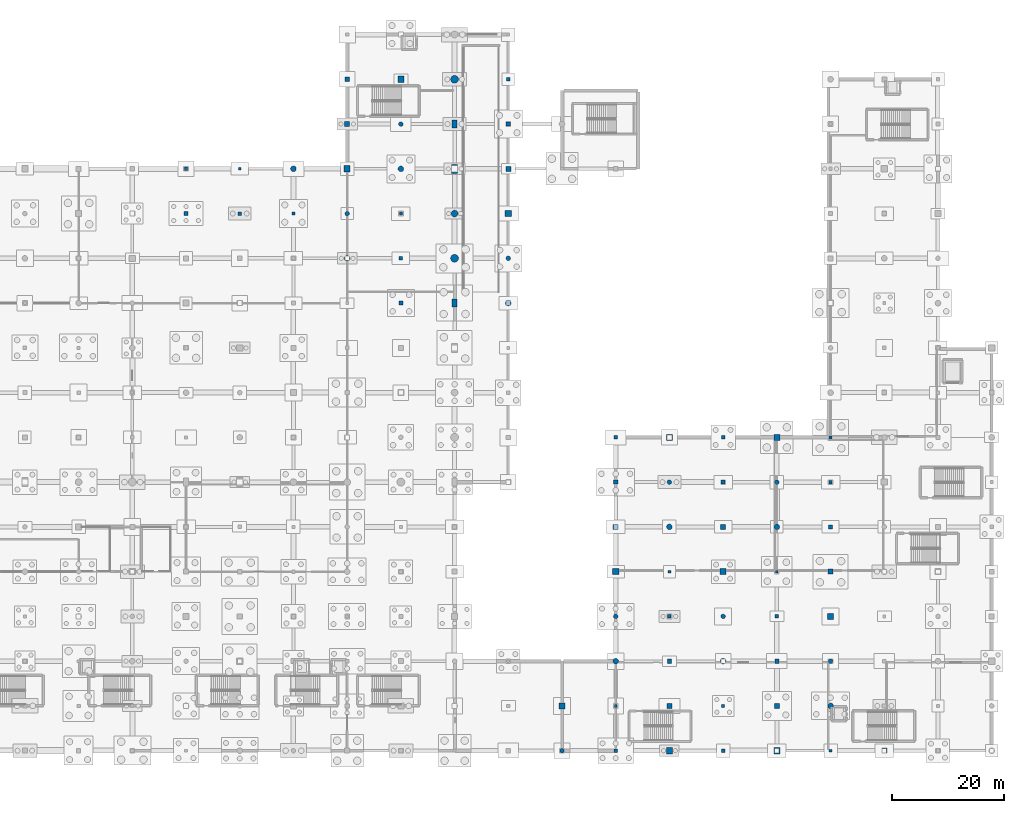
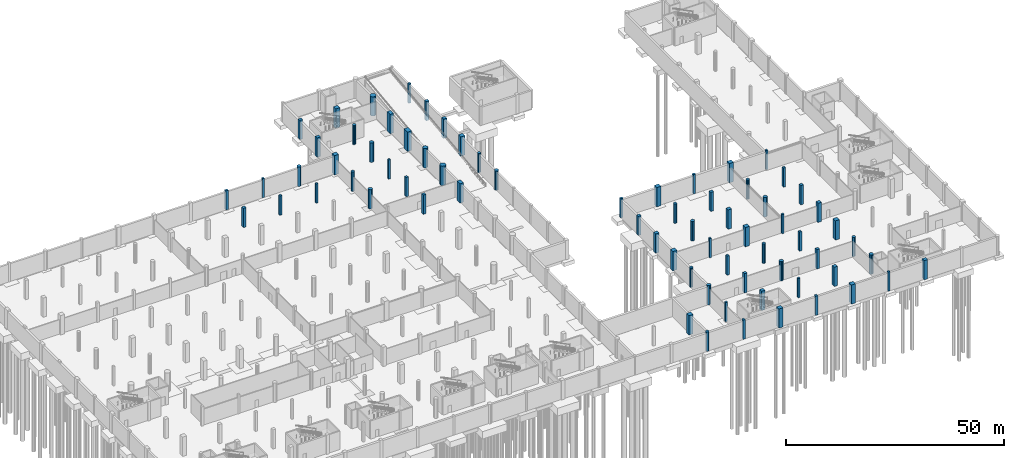
# One storey, part 14 of 44: 72 columns.
"""IFC4 building model written with IfcOpenShell, lengths in metres."""

from ifc_helpers import new_model, si_unit, direction, frame, origin, origin_2d, place, context, subcontext, project, spatial, rectangle, circle, extrude, material, material_profile, profile_set, type_object, element, save


model = new_model("IFC4")

# Units and contexts
model_context = context("Model", 3, precision=1e-05, world=origin(), true_north=direction((0.0, 1.0)))
body_context = subcontext(model_context, "Body", "Model", "MODEL_VIEW")
ifc_project = project(units=[si_unit("LENGTHUNIT", "METRE"), si_unit("AREAUNIT", "SQUARE_METRE"), si_unit("VOLUMEUNIT", "CUBIC_METRE"), si_unit("PLANEANGLEUNIT", "RADIAN"), si_unit("MASSUNIT", "GRAM", prefix="KILO")], contexts=[model_context])

# Site, building, storey
site_placement = place(None, origin())
site = spatial("IfcSite", under=ifc_project, at=site_placement, CompositionType="ELEMENT")
building_placement = place(site_placement, origin())
building = spatial("IfcBuilding", under=site, at=building_placement, Name="Danafjord Basin Convention Centre", CompositionType="ELEMENT")
storey_placement = place(building_placement, frame((0.0, 0.0, -5.39990234375)))
storey = spatial("IfcBuildingStorey", under=building, at=storey_placement, Name="B1", CompositionType="ELEMENT", Elevation=-5.39990234375)

# Columns
ifc_material_1 = material(Name="Concrete C45/55", Category="concrete")
ifc_material_profile_1 = material_profile(ifc_material_1, rectangle(XDim=1.10009765625, YDim=1.10009765625, at=origin_2d()), Name="RC 1100x1100")
ifc_profile_set_1 = profile_set([ifc_material_profile_1], Name="Concrete C45/55")
column_type_1 = type_object("IfcColumnType", Name="COL-C-RC1100", PredefinedType="COLUMN", material=ifc_profile_set_1)
for number, where, z_axis, x_axis, name in (
    (1, (96.0, 112.0, 0.0), (0.0, 0.0, 1.0), (1.0, 0.0, 0.0), "B1 column C-RC1100 at (96.0, 112.0)"),
    (2, (105.60009765625, 128.0, 0.0), (0.0, 0.0, 1.0), (1.0, 0.0, 0.0), "B1 column C-RC1100 at (105.6, 128.0)"),
    (3, (124.800048828125, 104.0, 0.0), (0.0, 0.0, 1.0), (1.0, 0.0, 0.0), "B1 column C-RC1100 at (124.8, 104.0)"),
    (4, (134.39990234375, 16.0, 0.0), (0.0, 0.0, 1.0), (1.0, 0.0, 0.0), "B1 column C-RC1100 at (134.4, 16.0)"),
    (5, (144.0, 40.0, 0.0), (0.0, 0.0, 1.0), (1.0, 0.0, 0.0), "B1 column C-RC1100 at (144.0, 40.0)"),
    (6, (153.60009765625, 8.0, 0.0), (0.0, 0.0, 1.0), (1.0, 0.0, 0.0), "B1 column C-RC1100 at (153.6, 8.0)"),
    (7, (153.60009765625, 64.0, 0.0), (0.0, 0.0, 1.0), (1.0, 0.0, 0.0), "B1 column C-RC1100 at (153.6, 64.0)"),
    (8, (163.199951171875, 40.0, 0.0), (0.0, 0.0, 1.0), (1.0, 0.0, 0.0), "B1 column C-RC1100 at (163.2, 40.0)"),
    (9, (172.800048828125, 8.0, 0.0), (0.0, 0.0, 1.0), (1.0, 0.0, 0.0), "B1 column C-RC1100 at (172.8, 8.0)"),
    (10, (172.800048828125, 64.0, 0.0), (0.0, 0.0, 1.0), (1.0, 0.0, 0.0), "B1 column C-RC1100 at (172.8, 64.0)"),
    (11, (182.39990234375, 32.0, 0.0), (0.0, 0.0, 1.0), (1.0, 0.0, 0.0), "B1 column C-RC1100 at (182.4, 32.0)"),
):
    element("IfcColumn", number, at=place(storey_placement, frame(where, z_axis=z_axis, x_axis=x_axis)), inside=storey, type_object=column_type_1, Name=name, PredefinedType="COLUMN", context=body_context, shape_type="SweptSolid", body=[
        extrude(rectangle(XDim=1.10009765625, YDim=1.10009765625, at=origin_2d()), origin(), (0.0, 0.0, 1.0), 5.39990234375),
    ])
ifc_material_2 = material(Name="Concrete C50/60", Category="concrete")
ifc_material_profile_2 = material_profile(ifc_material_2, rectangle(XDim=0.89990234375, YDim=1.39990234375, at=origin_2d()), Name="RC 1400x900")
ifc_profile_set_2 = profile_set([ifc_material_profile_2], Name="Concrete C50/60")
column_type_2 = type_object("IfcColumnType", Name="COL-C-RC1400", PredefinedType="COLUMN", material=ifc_profile_set_2)
for number, where, z_axis, x_axis, name in (
    (12, (115.199951171875, 88.0, 0.0), (0.0, 0.0, 1.0), (1.0, 0.0, 0.0), "B1 column C-RC1400 at (115.2, 88.0)"),
    (13, (115.199951171875, 120.0, 0.0), (0.0, 0.0, 1.0), (1.0, 0.0, 0.0), "B1 column C-RC1400 at (115.2, 120.0)"),
):
    element("IfcColumn", number, at=place(storey_placement, frame(where, z_axis=z_axis, x_axis=x_axis)), inside=storey, type_object=column_type_2, Name=name, PredefinedType="COLUMN", context=body_context, shape_type="SweptSolid", body=[
        extrude(rectangle(XDim=0.89990234375, YDim=1.39990234375, at=origin_2d()), origin(), (0.0, 0.0, 1.0), 5.39990234375),
    ])
ifc_material_profile_3 = material_profile(ifc_material_2, rectangle(XDim=1.10009765625, YDim=1.60009765625, at=origin_2d()), Name="RC 1600x1100")
ifc_profile_set_3 = profile_set([ifc_material_profile_3], Name="Concrete C50/60")
column_type_3 = type_object("IfcColumnType", Name="COL-C-RC1600", PredefinedType="COLUMN", material=ifc_profile_set_3)
column_1_placement = place(storey_placement, frame((115.199951171875, 112.0, 0.0), z_axis=(0.0, 0.0, 1.0), x_axis=(1.0, 0.0, 0.0)))
element("IfcColumn", 14, at=column_1_placement, inside=storey, type_object=column_type_3, Name="B1 column C-RC1600 at (115.2, 112.0)", PredefinedType="COLUMN", context=body_context, shape_type="SweptSolid", body=[
    extrude(rectangle(XDim=1.10009765625, YDim=1.60009765625, at=origin_2d()), origin(), (0.0, 0.0, 1.0), 5.39990234375),
])
ifc_material_3 = material(Name="Concrete C40/50", Category="concrete")
ifc_material_profile_4 = material_profile(ifc_material_3, rectangle(XDim=0.5, YDim=0.5, at=origin_2d()), Name="RC 500x500")
ifc_profile_set_4 = profile_set([ifc_material_profile_4], Name="Concrete C40/50")
column_type_4 = type_object("IfcColumnType", Name="COL-C-RC500", PredefinedType="COLUMN", material=ifc_profile_set_4)
for number, where, z_axis, x_axis, name in (
    (15, (76.800048828125, 112.0, 0.0), (0.0, 0.0, 1.0), (1.0, 0.0, 0.0), "B1 column C-RC500 at (76.8, 112.0)"),
    (16, (86.39990234375, 104.0, 0.0), (0.0, 0.0, 1.0), (1.0, 0.0, 0.0), "B1 column C-RC500 at (86.4, 104.0)"),
    (17, (105.60009765625, 104.0, 0.0), (0.0, 0.0, 1.0), (1.0, 0.0, 0.0), "B1 column C-RC500 at (105.6, 104.0)"),
    (18, (144.0, 16.0, 0.0), (0.0, 0.0, 1.0), (1.0, 0.0, 0.0), "B1 column C-RC500 at (144.0, 16.0)"),
    (19, (153.60009765625, 40.0, 0.0), (0.0, 0.0, 1.0), (1.0, 0.0, 0.0), "B1 column C-RC500 at (153.6, 40.0)"),
    (20, (163.199951171875, 16.0, 0.0), (0.0, 0.0, 1.0), (1.0, 0.0, 0.0), "B1 column C-RC500 at (163.2, 16.0)"),
    (21, (172.800048828125, 40.0, 0.0), (0.0, 0.0, 1.0), (1.0, 0.0, 0.0), "B1 column C-RC500 at (172.8, 40.0)"),
    (22, (182.39990234375, 8.0, 0.0), (0.0, 0.0, 1.0), (1.0, 0.0, 0.0), "B1 column C-RC500 at (182.4, 8.0)"),
    (23, (182.39990234375, 64.0, 0.0), (0.0, 0.0, 1.0), (1.0, 0.0, 0.0), "B1 column C-RC500 at (182.4, 64.0)"),
):
    element("IfcColumn", number, at=place(storey_placement, frame(where, z_axis=z_axis, x_axis=x_axis)), inside=storey, type_object=column_type_4, Name=name, PredefinedType="COLUMN", context=body_context, shape_type="SweptSolid", body=[
        extrude(rectangle(XDim=0.5, YDim=0.5, at=origin_2d()), origin(), (0.0, 0.0, 1.0), 5.39990234375),
    ])
ifc_material_profile_5 = material_profile(ifc_material_3, rectangle(XDim=0.60009765625, YDim=0.60009765625, at=origin_2d()), Name="RC 600x600")
ifc_profile_set_5 = profile_set([ifc_material_profile_5], Name="Concrete C40/50")
column_type_5 = type_object("IfcColumnType", Name="COL-C-RC600", PredefinedType="COLUMN", material=ifc_profile_set_5)
for number, where, z_axis, x_axis, name in (
    (24, (67.199951171875, 112.0, 0.0), (0.0, 0.0, 1.0), (1.0, 0.0, 0.0), "B1 column C-RC600 at (67.2, 112.0)"),
    (25, (76.800048828125, 104.0, 0.0), (0.0, 0.0, 1.0), (1.0, 0.0, 0.0), "B1 column C-RC600 at (76.8, 104.0)"),
    (26, (105.60009765625, 96.0, 0.0), (0.0, 0.0, 1.0), (1.0, 0.0, 0.0), "B1 column C-RC600 at (105.6, 96.0)"),
    (27, (124.800048828125, 128.0, 0.0), (0.0, 0.0, 1.0), (1.0, 0.0, 0.0), "B1 column C-RC600 at (124.8, 128.0)"),
    (28, (144.0, 8.0, 0.0), (0.0, 0.0, 1.0), (1.0, 0.0, 0.0), "B1 column C-RC600 at (144.0, 8.0)"),
    (29, (144.0, 64.0, 0.0), (0.0, 0.0, 1.0), (1.0, 0.0, 0.0), "B1 column C-RC600 at (144.0, 64.0)"),
    (30, (153.60009765625, 32.0, 0.0), (0.0, 0.0, 1.0), (1.0, 0.0, 0.0), "B1 column C-RC600 at (153.6, 32.0)"),
    (31, (163.199951171875, 8.0, 0.0), (0.0, 0.0, 1.0), (1.0, 0.0, 0.0), "B1 column C-RC600 at (163.2, 8.0)"),
    (32, (163.199951171875, 64.0, 0.0), (0.0, 0.0, 1.0), (1.0, 0.0, 0.0), "B1 column C-RC600 at (163.2, 64.0)"),
    (33, (172.800048828125, 32.0, 0.0), (0.0, 0.0, 1.0), (1.0, 0.0, 0.0), "B1 column C-RC600 at (172.8, 32.0)"),
    (34, (182.39990234375, 56.0, 0.0), (0.0, 0.0, 1.0), (1.0, 0.0, 0.0), "B1 column C-RC600 at (182.4, 56.0)"),
):
    element("IfcColumn", number, at=place(storey_placement, frame(where, z_axis=z_axis, x_axis=x_axis)), inside=storey, type_object=column_type_5, Name=name, PredefinedType="COLUMN", context=body_context, shape_type="SweptSolid", body=[
        extrude(rectangle(XDim=0.60009765625, YDim=0.60009765625, at=origin_2d()), origin(), (0.0, 0.0, 1.0), 5.39990234375),
    ])
ifc_material_profile_6 = material_profile(ifc_material_3, rectangle(XDim=0.75, YDim=0.75, at=origin_2d()), Name="RC 750x750")
ifc_profile_set_6 = profile_set([ifc_material_profile_6], Name="Concrete C40/50")
column_type_6 = type_object("IfcColumnType", Name="COL-C-RC750", PredefinedType="COLUMN", material=ifc_profile_set_6)
for number, where, z_axis, x_axis, name in (
    (35, (67.199951171875, 104.0, 0.0), (0.0, 0.0, 1.0), (1.0, 0.0, 0.0), "B1 column C-RC750 at (67.2, 104.0)"),
    (36, (96.0, 128.0, 0.0), (0.0, 0.0, 1.0), (1.0, 0.0, 0.0), "B1 column C-RC750 at (96.0, 128.0)"),
    (37, (105.60009765625, 88.0, 0.0), (0.0, 0.0, 1.0), (1.0, 0.0, 0.0), "B1 column C-RC750 at (105.6, 88.0)"),
    (38, (124.800048828125, 120.0, 0.0), (0.0, 0.0, 1.0), (1.0, 0.0, 0.0), "B1 column C-RC750 at (124.8, 120.0)"),
    (39, (144.0, 56.0, 0.0), (0.0, 0.0, 1.0), (1.0, 0.0, 0.0), "B1 column C-RC750 at (144.0, 56.0)"),
    (40, (153.60009765625, 24.0, 0.0), (0.0, 0.0, 1.0), (1.0, 0.0, 0.0), "B1 column C-RC750 at (153.6, 24.0)"),
    (41, (163.199951171875, 56.0, 0.0), (0.0, 0.0, 1.0), (1.0, 0.0, 0.0), "B1 column C-RC750 at (163.2, 56.0)"),
    (42, (172.800048828125, 24.0, 0.0), (0.0, 0.0, 1.0), (1.0, 0.0, 0.0), "B1 column C-RC750 at (172.8, 24.0)"),
    (43, (182.39990234375, 48.0, 0.0), (0.0, 0.0, 1.0), (1.0, 0.0, 0.0), "B1 column C-RC750 at (182.4, 48.0)"),
):
    element("IfcColumn", number, at=place(storey_placement, frame(where, z_axis=z_axis, x_axis=x_axis)), inside=storey, type_object=column_type_6, Name=name, PredefinedType="COLUMN", context=body_context, shape_type="SweptSolid", body=[
        extrude(rectangle(XDim=0.75, YDim=0.75, at=origin_2d()), origin(), (0.0, 0.0, 1.0), 5.39990234375),
    ])
ifc_material_profile_7 = material_profile(ifc_material_1, rectangle(XDim=0.89990234375, YDim=0.89990234375, at=origin_2d()), Name="RC 900x900")
ifc_profile_set_7 = profile_set([ifc_material_profile_7], Name="Concrete C45/55")
column_type_7 = type_object("IfcColumnType", Name="COL-C-RC900", PredefinedType="COLUMN", material=ifc_profile_set_7)
for number, where, z_axis, x_axis, name in (
    (44, (96.0, 120.0, 0.0), (0.0, 0.0, 1.0), (1.0, 0.0, 0.0), "B1 column C-RC900 at (96.0, 120.0)"),
    (45, (124.800048828125, 112.0, 0.0), (0.0, 0.0, 1.0), (1.0, 0.0, 0.0), "B1 column C-RC900 at (124.8, 112.0)"),
    (46, (144.0, 48.0, 0.0), (0.0, 0.0, 1.0), (1.0, 0.0, 0.0), "B1 column C-RC900 at (144.0, 48.0)"),
    (47, (153.60009765625, 16.0, 0.0), (0.0, 0.0, 1.0), (1.0, 0.0, 0.0), "B1 column C-RC900 at (153.6, 16.0)"),
    (48, (163.199951171875, 48.0, 0.0), (0.0, 0.0, 1.0), (1.0, 0.0, 0.0), "B1 column C-RC900 at (163.2, 48.0)"),
    (49, (172.800048828125, 16.0, 0.0), (0.0, 0.0, 1.0), (1.0, 0.0, 0.0), "B1 column C-RC900 at (172.8, 16.0)"),
    (50, (182.39990234375, 40.0, 0.0), (0.0, 0.0, 1.0), (1.0, 0.0, 0.0), "B1 column C-RC900 at (182.4, 40.0)"),
    (51, (192.0, 8.0, 0.0), (0.0, 0.0, 1.0), (1.0, 0.0, 0.0), "B1 column C-RC900 at (192.0, 8.0)"),
):
    element("IfcColumn", number, at=place(storey_placement, frame(where, z_axis=z_axis, x_axis=x_axis)), inside=storey, type_object=column_type_7, Name=name, PredefinedType="COLUMN", context=body_context, shape_type="SweptSolid", body=[
        extrude(rectangle(XDim=0.89990234375, YDim=0.89990234375, at=origin_2d()), origin(), (0.0, 0.0, 1.0), 5.39990234375),
    ])
ifc_material_profile_8 = material_profile(ifc_material_1, circle(Radius=0.5, at=origin_2d()), Name="RC D1000")
ifc_profile_set_8 = profile_set([ifc_material_profile_8], Name="Concrete C45/55")
column_type_8 = type_object("IfcColumnType", Name="COL-C-RCD1000", PredefinedType="COLUMN", material=ifc_profile_set_8)
for number, where, z_axis, x_axis, name in (
    (52, (86.39990234375, 112.0, 0.0), (0.0, 0.0, 1.0), (1.0, 0.0, 0.0), "B1 column C-RCD1000 at (86.4, 112.0)"),
    (53, (96.0, 96.0, 0.0), (0.0, 0.0, 1.0), (1.0, 0.0, 0.0), "B1 column C-RCD1000 at (96.0, 96.0)"),
    (54, (105.60009765625, 112.0, 0.0), (0.0, 0.0, 1.0), (1.0, 0.0, 0.0), "B1 column C-RCD1000 at (105.6, 112.0)"),
    (55, (124.800048828125, 88.0, 0.0), (0.0, 0.0, 1.0), (1.0, 0.0, 0.0), "B1 column C-RCD1000 at (124.8, 88.0)"),
    (56, (144.0, 24.0, 0.0), (0.0, 0.0, 1.0), (1.0, 0.0, 0.0), "B1 column C-RCD1000 at (144.0, 24.0)"),
    (57, (153.60009765625, 48.0, 0.0), (0.0, 0.0, 1.0), (1.0, 0.0, 0.0), "B1 column C-RCD1000 at (153.6, 48.0)"),
    (58, (163.199951171875, 24.0, 0.0), (0.0, 0.0, 1.0), (1.0, 0.0, 0.0), "B1 column C-RCD1000 at (163.2, 24.0)"),
    (59, (172.800048828125, 48.0, 0.0), (0.0, 0.0, 1.0), (1.0, 0.0, 0.0), "B1 column C-RCD1000 at (172.8, 48.0)"),
    (60, (182.39990234375, 16.0, 0.0), (0.0, 0.0, 1.0), (1.0, 0.0, 0.0), "B1 column C-RCD1000 at (182.4, 16.0)"),
):
    element("IfcColumn", number, at=place(storey_placement, frame(where, z_axis=z_axis, x_axis=x_axis)), inside=storey, type_object=column_type_8, Name=name, PredefinedType="COLUMN", context=body_context, shape_type="SweptSolid", body=[
        extrude(circle(Radius=0.5, at=origin_2d()), origin(), (0.0, 0.0, 1.0), 5.39990234375),
    ])
ifc_material_profile_9 = material_profile(ifc_material_2, circle(Radius=0.60009765625, at=origin_2d()), Name="RC D1200")
ifc_profile_set_9 = profile_set([ifc_material_profile_9], Name="Concrete C50/60")
column_type_9 = type_object("IfcColumnType", Name="COL-C-RCD1200", PredefinedType="COLUMN", material=ifc_profile_set_9)
column_2_placement = place(storey_placement, frame((115.199951171875, 104.0, 0.0), z_axis=(0.0, 0.0, 1.0), x_axis=(1.0, 0.0, 0.0)))
element("IfcColumn", 61, at=column_2_placement, inside=storey, type_object=column_type_9, Name="B1 column C-RCD1200 at (115.2, 104.0)", PredefinedType="COLUMN", context=body_context, shape_type="SweptSolid", body=[
    extrude(circle(Radius=0.60009765625, at=origin_2d()), origin(), (0.0, 0.0, 1.0), 5.39990234375),
])
ifc_material_profile_10 = material_profile(ifc_material_2, circle(Radius=0.699951171875, at=origin_2d()), Name="RC D1400")
ifc_profile_set_10 = profile_set([ifc_material_profile_10], Name="Concrete C50/60")
column_type_10 = type_object("IfcColumnType", Name="COL-C-RCD1400", PredefinedType="COLUMN", material=ifc_profile_set_10)
for number, where, z_axis, x_axis, name in (
    (62, (115.199951171875, 96.0, 0.0), (0.0, 0.0, 1.0), (1.0, 0.0, 0.0), "B1 column C-RCD1400 at (115.2, 96.0)"),
    (63, (115.199951171875, 128.0, 0.0), (0.0, 0.0, 1.0), (1.0, 0.0, 0.0), "B1 column C-RCD1400 at (115.2, 128.0)"),
):
    element("IfcColumn", number, at=place(storey_placement, frame(where, z_axis=z_axis, x_axis=x_axis)), inside=storey, type_object=column_type_10, Name=name, PredefinedType="COLUMN", context=body_context, shape_type="SweptSolid", body=[
        extrude(circle(Radius=0.699951171875, at=origin_2d()), origin(), (0.0, 0.0, 1.0), 5.39990234375),
    ])
ifc_material_profile_11 = material_profile(ifc_material_1, circle(Radius=0.39990234375, at=origin_2d()), Name="RC D800")
ifc_profile_set_11 = profile_set([ifc_material_profile_11], Name="Concrete C45/55")
column_type_11 = type_object("IfcColumnType", Name="COL-C-RCD800", PredefinedType="COLUMN", material=ifc_profile_set_11)
for number, where, z_axis, x_axis, name in (
    (64, (96.0, 104.0, 0.0), (0.0, 0.0, 1.0), (1.0, 0.0, 0.0), "B1 column C-RCD800 at (96.0, 104.0)"),
    (65, (105.60009765625, 120.0, 0.0), (0.0, 0.0, 1.0), (1.0, 0.0, 0.0), "B1 column C-RCD800 at (105.6, 120.0)"),
    (66, (124.800048828125, 96.0, 0.0), (0.0, 0.0, 1.0), (1.0, 0.0, 0.0), "B1 column C-RCD800 at (124.8, 96.0)"),
    (67, (134.39990234375, 8.0, 0.0), (0.0, 0.0, 1.0), (1.0, 0.0, 0.0), "B1 column C-RCD800 at (134.4, 8.0)"),
    (68, (144.0, 32.0, 0.0), (0.0, 0.0, 1.0), (1.0, 0.0, 0.0), "B1 column C-RCD800 at (144.0, 32.0)"),
    (69, (153.60009765625, 56.0, 0.0), (0.0, 0.0, 1.0), (1.0, 0.0, 0.0), "B1 column C-RCD800 at (153.6, 56.0)"),
    (70, (163.199951171875, 32.0, 0.0), (0.0, 0.0, 1.0), (1.0, 0.0, 0.0), "B1 column C-RCD800 at (163.2, 32.0)"),
    (71, (172.800048828125, 56.0, 0.0), (0.0, 0.0, 1.0), (1.0, 0.0, 0.0), "B1 column C-RCD800 at (172.8, 56.0)"),
    (72, (182.39990234375, 24.0, 0.0), (0.0, 0.0, 1.0), (1.0, 0.0, 0.0), "B1 column C-RCD800 at (182.4, 24.0)"),
):
    element("IfcColumn", number, at=place(storey_placement, frame(where, z_axis=z_axis, x_axis=x_axis)), inside=storey, type_object=column_type_11, Name=name, PredefinedType="COLUMN", context=body_context, shape_type="SweptSolid", body=[
        extrude(circle(Radius=0.39990234375, at=origin_2d()), origin(), (0.0, 0.0, 1.0), 5.39990234375),
    ])

save(model, "model.ifc")
